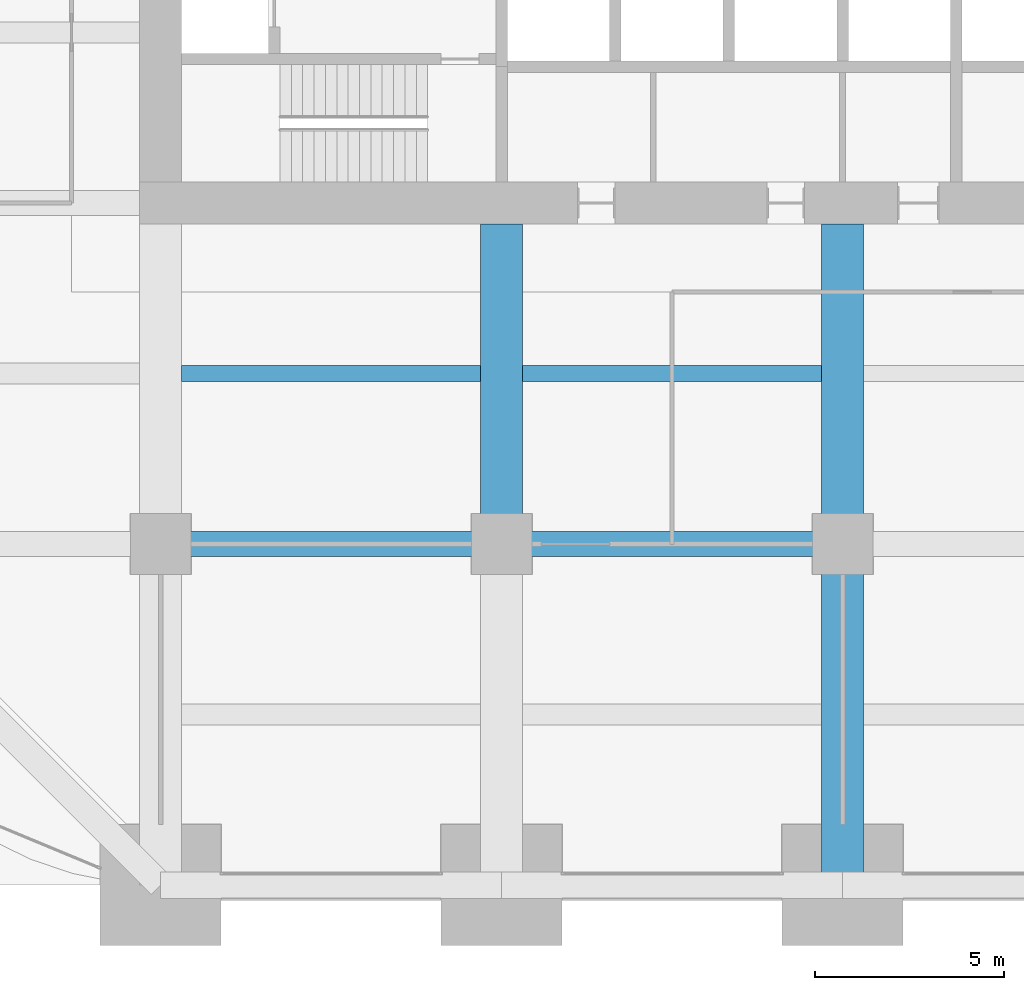
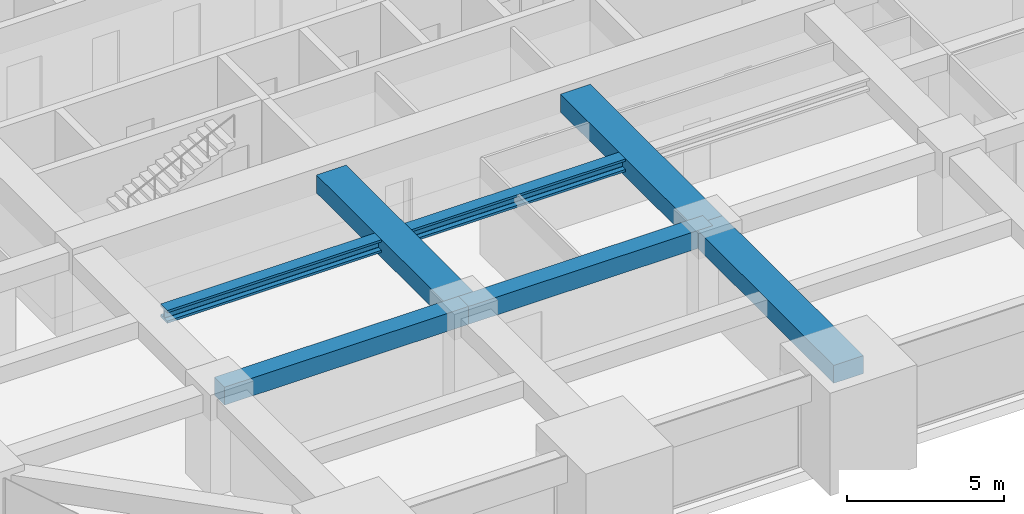
# One storey, part 10 of 40: 7 beams.
"""IFC4 building model written with IfcOpenShell, lengths in metres."""

import ifcopenshell
import ifcopenshell.guid

model = None  # the IFC model being written
_history = None  # IfcOwnerHistory: only IFC2X3 demands one
_inside = {}  # id of a spatial element -> (the spatial element, [elements in it])
_under = {}  # id of a project, library or spatial element -> (it, [spatial elements below it])
_declared = {}  # id of a project -> (the project, [libraries it declares])
_typed = {}  # id of a type object -> (the type object, [elements of that type])
_made_of = {}  # id of a material, layer set ... -> (it, [elements and type objects made of it])


def new_model(schema):
    """Start an empty IFC model of exactly this schema.

    Asked for "IFC4X3", IfcOpenShell would pick the latest addendum, in which some entities
    have other attributes; the version numbers below select the first issue.
    IFC2X3 requires an IfcOwnerHistory on every rooted entity: one is made here for all.
    """
    global model, _history
    if schema == "IFC4X3":
        model = ifcopenshell.file(schema_version=(4, 3, 0, 0))
    else:
        model = ifcopenshell.file(schema=schema)
    _inside.clear()
    _under.clear()
    _declared.clear()
    _typed.clear()
    _made_of.clear()
    _history = None
    if model.schema == "IFC2X3":
        org = make("IfcOrganization", Name="unknown")
        user = make(
            "IfcPersonAndOrganization",
            ThePerson=make("IfcPerson", FamilyName="unknown"),
            TheOrganization=org,
        )
        app = make(
            "IfcApplication",
            ApplicationDeveloper=org,
            Version="unknown",
            ApplicationFullName="unknown",
            ApplicationIdentifier="unknown",
        )
        _history = make(
            "IfcOwnerHistory",
            OwningUser=user,
            OwningApplication=app,
            ChangeAction="ADDED",
            CreationDate=0,
        )
    return model


def make(cls, **values):
    """One entity of the class cls with the attributes given. An attribute that is None is left unset."""
    return model.create_entity(
        cls, **{name: value for name, value in values.items() if value is not None}
    )


def rooted(cls, **values):
    """An entity with a GlobalId (a new one), such as an element, a storey or a relation."""
    return make(cls, GlobalId=ifcopenshell.guid.new(), OwnerHistory=_history, **values)


def si_unit(unit_type, name, prefix=None):
    """IfcSIUnit, for example si_unit("LENGTHUNIT", "METRE", prefix="MILLI")."""
    return make("IfcSIUnit", UnitType=unit_type, Prefix=prefix, Name=name)


def assignment(units):
    """IfcUnitAssignment: the units of a project."""
    return None if units is None else make("IfcUnitAssignment", Units=units)


def point(xyz):
    """IfcCartesianPoint."""
    return None if xyz is None else make("IfcCartesianPoint", Coordinates=xyz)


def direction(xyz):
    """IfcDirection."""
    return None if xyz is None else make("IfcDirection", DirectionRatios=xyz)


def frame(location, z_axis=None, x_axis=None):
    """IfcAxis2Placement3D, a coordinate frame: its origin and axes. An axis left out is left unset."""
    return make(
        "IfcAxis2Placement3D",
        Location=point(location),
        Axis=direction(z_axis),
        RefDirection=direction(x_axis),
    )


def frame_2d(location, x_axis=None):
    """IfcAxis2Placement2D, a coordinate frame in the plane: its origin and x axis."""
    return make(
        "IfcAxis2Placement2D", Location=point(location), RefDirection=direction(x_axis)
    )


def origin():
    """The frame at (0, 0, 0) with its axes left unset."""
    return frame((0.0, 0.0, 0.0))


def origin_2d():
    """The frame at (0, 0) in the plane with its x axis left unset."""
    return frame_2d((0.0, 0.0))


def place(relative_to, where):
    """IfcLocalPlacement: puts the frame where relative to a parent placement (None: the world)."""
    return make(
        "IfcLocalPlacement", PlacementRelTo=relative_to, RelativePlacement=where
    )


def context(
    kind, dimensions, precision=None, world=None, true_north=None, identifier=None
):
    """IfcGeometricRepresentationContext, for example the 3D "Model" context."""
    return make(
        "IfcGeometricRepresentationContext",
        ContextIdentifier=identifier,
        ContextType=kind,
        CoordinateSpaceDimension=dimensions,
        Precision=precision,
        WorldCoordinateSystem=world,
        TrueNorth=true_north,
    )


def subcontext(parent, identifier, kind, view, scale=None):
    """IfcGeometricRepresentationSubContext, for example "Body" below "Model"."""
    return make(
        "IfcGeometricRepresentationSubContext",
        ContextIdentifier=identifier,
        ContextType=kind,
        ParentContext=parent,
        TargetScale=scale,
        TargetView=view,
    )


def project(units=None, contexts=None):
    """IfcProject with its units and contexts."""
    return rooted(
        "IfcProject",
        Name="project",
        RepresentationContexts=contexts,
        UnitsInContext=assignment(units),
    )


def spatial(cls, under=None, at=None, **own):
    """A site, building, storey or space (cls), placed at a placement, below another one or the project."""
    s = rooted(cls, ObjectPlacement=at, **own)
    if under is not None:
        _under.setdefault(under.id(), (under, []))[1].append(s)
    return s


def profile(cls, at=None, kind="AREA", **sizes):
    """A parametric profile (cls). Its sizes go by their IFC names, for example OverallWidth=200.0."""
    return make(cls, ProfileType=kind, Position=at, **sizes)


def rectangle(**sizes):
    """IfcRectangleProfileDef."""
    return profile("IfcRectangleProfileDef", **sizes)


def i_section(**sizes):
    """IfcIShapeProfileDef."""
    return profile("IfcIShapeProfileDef", **sizes)


def extrude(swept, where, along, depth):
    """IfcExtrudedAreaSolid: the profile swept, set in the frame where, extruded along a direction by depth."""
    return make(
        "IfcExtrudedAreaSolid",
        SweptArea=swept,
        Position=where,
        ExtrudedDirection=direction(along),
        Depth=depth,
    )


def shape(context_of_items, identifier, shape_type, items):
    """IfcShapeRepresentation: the items that make up one representation, for example the "Body"."""
    return make(
        "IfcShapeRepresentation",
        ContextOfItems=context_of_items,
        RepresentationIdentifier=identifier,
        RepresentationType=shape_type,
        Items=items,
    )


def material(Name=None, Category=None):
    """IfcMaterial."""
    return make("IfcMaterial", Name=Name, Category=Category)


def material_profile(
    of_material, cross_section, Name=None, Category=None, Priority=None
):
    """IfcMaterialProfile: a cross section and its material."""
    return make(
        "IfcMaterialProfile",
        Name=Name,
        Material=of_material,
        Profile=cross_section,
        Priority=Priority,
        Category=Category,
    )


def profile_set(profiles, Name=None, composite=None):
    """IfcMaterialProfileSet."""
    return make(
        "IfcMaterialProfileSet",
        Name=Name,
        MaterialProfiles=profiles,
        CompositeProfile=composite,
    )


def made_of(thing, what):
    """Note that an element or type object is made of a material, layer set ...; save() writes the relation."""
    if what is not None:
        _made_of.setdefault(what.id(), (what, []))[1].append(thing)
    return thing


def type_object(cls, material=None, **own):
    """A type object (cls), such as IfcWallType, which elements share."""
    return made_of(rooted(cls, **own), material)


def element(
    cls,
    number,
    at=None,
    inside=None,
    cuts=None,
    type_object=None,
    material=None,
    context=None,
    identifier="Body",
    shape_type=None,
    held_by="IfcProductDefinitionShape",
    body=None,
    shapes=None,
    **own,
):
    """One element of the class cls, such as IfcWall. Its Tag is "e" and its number.

    at: its placement. inside: the storey or other place that contains it. cuts: it is an
    opening in that element (IfcRelVoidsElement). A single representation is given by context,
    identifier, shape_type and body (its items); several are given by shapes. held_by: the class
    of the entity that holds the representations. save() writes the other relations.
    """
    e = rooted(cls, Tag="e%d" % number, ObjectPlacement=at, **own)
    if body is not None:
        shapes = [shape(context, identifier, shape_type, body)]
    if shapes is not None:
        e.Representation = make(held_by, Representations=shapes)
    if inside is not None:
        _inside.setdefault(inside.id(), (inside, []))[1].append(e)
    if cuts is not None:
        rooted(
            "IfcRelVoidsElement", RelatingBuildingElement=cuts, RelatedOpeningElement=e
        )
    if type_object is not None:
        _typed.setdefault(type_object.id(), (type_object, []))[1].append(e)
    return made_of(e, material)


def aggregate(whole, parts):
    """IfcRelAggregates: a whole, such as a stair, and the parts it consists of."""
    return rooted("IfcRelAggregates", RelatingObject=whole, RelatedObjects=parts)


def save(model, path):
    """Write the relations noted so far, then the file.

    IfcRelAggregates (storeys below a building ...), IfcRelContainedInSpatialStructure (elements
    in a storey), IfcRelDefinesByType, IfcRelAssociatesMaterial and IfcRelDeclares: one each for
    every whole, place, type object, material and project.
    """
    for whole, parts in _under.values():
        aggregate(whole, parts)
    for where, things in _inside.values():
        rooted(
            "IfcRelContainedInSpatialStructure",
            RelatedElements=things,
            RelatingStructure=where,
        )
    for kind, things in _typed.values():
        rooted("IfcRelDefinesByType", RelatedObjects=things, RelatingType=kind)
    for what, things in _made_of.values():
        rooted("IfcRelAssociatesMaterial", RelatedObjects=things, RelatingMaterial=what)
    for by, libraries in _declared.values():
        rooted("IfcRelDeclares", RelatingContext=by, RelatedDefinitions=libraries)
    model.write(path)


model = new_model("IFC4")

# Units and contexts
model_context = context("Model", 3, precision=1e-05, world=origin(), true_north=direction((0.0, 1.0)))
body_context = subcontext(model_context, "Body", "Model", "MODEL_VIEW")
ifc_project = project(units=[si_unit("LENGTHUNIT", "METRE"), si_unit("AREAUNIT", "SQUARE_METRE"), si_unit("VOLUMEUNIT", "CUBIC_METRE"), si_unit("PLANEANGLEUNIT", "RADIAN"), si_unit("MASSUNIT", "GRAM", prefix="KILO")], contexts=[model_context])

# Site, building, storey
site_placement = place(None, origin())
site = spatial("IfcSite", under=ifc_project, at=site_placement, CompositionType="ELEMENT")
building_placement = place(site_placement, origin())
building = spatial("IfcBuilding", under=site, at=building_placement, Name="Zorevar Civic Tower", CompositionType="ELEMENT")
storey_placement = place(building_placement, frame((0.0, 0.0, 239.39990234375)))
storey = spatial("IfcBuildingStorey", under=building, at=storey_placement, Name="L58", CompositionType="ELEMENT", Elevation=239.39990234375)

# Beams
ifc_material_1 = material(Name="Concrete C50/60", Category="concrete")
ifc_material_profile_1 = material_profile(ifc_material_1, rectangle(XDim=1.10009765625, YDim=0.699951171875, at=origin_2d()), Name="RC 1100x700")
ifc_profile_set_1 = profile_set([ifc_material_profile_1], Name="Concrete C50/60")
beam_type_1 = type_object("IfcBeamType", Name="Beam RC 1100x700", PredefinedType="BEAM", material=ifc_profile_set_1)
beam_1_placement = place(storey_placement, frame((27.0, 9.0, 3.400146484375), z_axis=(0.0, 1.0, 0.0), x_axis=(-1.0, 0.0, 0.0)))
element("IfcBeam", 1, at=beam_1_placement, inside=storey, type_object=beam_type_1, Name="Girder L59", PredefinedType="BEAM", context=body_context, shape_type="SweptSolid", body=[
    extrude(rectangle(XDim=1.10009765625, YDim=0.699951171875, at=origin_2d()), origin(), (0.0, 0.0, 1.0), 8.449951171875),
])
beam_2_placement = place(storey_placement, frame((36.0, 0.0, 3.400146484375), z_axis=(0.0, 1.0, 0.0), x_axis=(-1.0, 0.0, 0.0)))
element("IfcBeam", 2, at=beam_2_placement, inside=storey, type_object=beam_type_1, Name="Girder L59", PredefinedType="BEAM", context=body_context, shape_type="SweptSolid", body=[
    extrude(rectangle(XDim=1.10009765625, YDim=0.699951171875, at=origin_2d()), origin(), (0.0, 0.0, 1.0), 9.0),
])
beam_3_placement = place(storey_placement, frame((36.0, 9.0, 3.400146484375), z_axis=(0.0, 1.0, 0.0), x_axis=(-1.0, 0.0, 0.0)))
element("IfcBeam", 3, at=beam_3_placement, inside=storey, type_object=beam_type_1, Name="Girder L59", PredefinedType="BEAM", context=body_context, shape_type="SweptSolid", body=[
    extrude(rectangle(XDim=1.10009765625, YDim=0.699951171875, at=origin_2d()), origin(), (0.0, 0.0, 1.0), 8.449951171875),
])
ifc_material_2 = material(Name="Concrete C50/60", Category="concrete")
ifc_material_profile_2 = material_profile(ifc_material_2, rectangle(XDim=0.64990234375, YDim=0.699951171875, at=origin_2d()), Name="RC 650x700")
ifc_profile_set_2 = profile_set([ifc_material_profile_2], Name="Concrete C50/60")
beam_type_2 = type_object("IfcBeamType", Name="Beam RC 650x700", PredefinedType="BEAM", material=ifc_profile_set_2)
for number, where, z_axis, x_axis, name in (
    (4, (18.0, 9.0, 3.400146484375), (1.0, 0.0, 0.0), (0.0, 1.0, 0.0), "Girder L59"),
    (5, (27.0, 9.0, 3.400146484375), (1.0, 0.0, 0.0), (0.0, 1.0, 0.0), "Girder L59"),
):
    element("IfcBeam", number, at=place(storey_placement, frame(where, z_axis=z_axis, x_axis=x_axis)), inside=storey, type_object=beam_type_2, Name=name, PredefinedType="BEAM", context=body_context, shape_type="SweptSolid", body=[
        extrude(rectangle(XDim=0.64990234375, YDim=0.699951171875, at=origin_2d()), origin(), (0.0, 0.0, 1.0), 9.0),
    ])
ifc_material_3 = material(Name="Steel S460M (HISTAR 460)", Category="steel")
ifc_material_profile_3 = material_profile(ifc_material_3, i_section(OverallWidth=0.431884765625, OverallDepth=0.498046875, WebThickness=0.0556640625, FlangeThickness=0.0888671875, FilletRadius=0.014892578125, at=origin_2d()), Name="HD 400x744")
ifc_profile_set_3 = profile_set([ifc_material_profile_3], Name="Steel S460M (HISTAR 460)")
beam_type_3 = type_object("IfcBeamType", Name="Core bay beam HD 400x744", PredefinedType="BEAM", material=ifc_profile_set_3)
for number, where, z_axis, x_axis, name in (
    (6, (18.550048828125, 13.5, 3.5009765625), (1.0, 0.0, 0.0), (0.0, 1.0, 0.0), "Secondary beam L59"),
    (7, (27.550048828125, 13.5, 3.5009765625), (1.0, 0.0, 0.0), (0.0, 1.0, 0.0), "Secondary beam L59"),
):
    element("IfcBeam", number, at=place(storey_placement, frame(where, z_axis=z_axis, x_axis=x_axis)), inside=storey, type_object=beam_type_3, Name=name, PredefinedType="BEAM", context=body_context, shape_type="SweptSolid", body=[
        extrude(i_section(OverallWidth=0.431884765625, OverallDepth=0.498046875, WebThickness=0.0556640625, FlangeThickness=0.0888671875, FilletRadius=0.014892578125, at=origin_2d()), origin(), (0.0, 0.0, 1.0), 7.89990234375),
    ])

save(model, "model.ifc")
